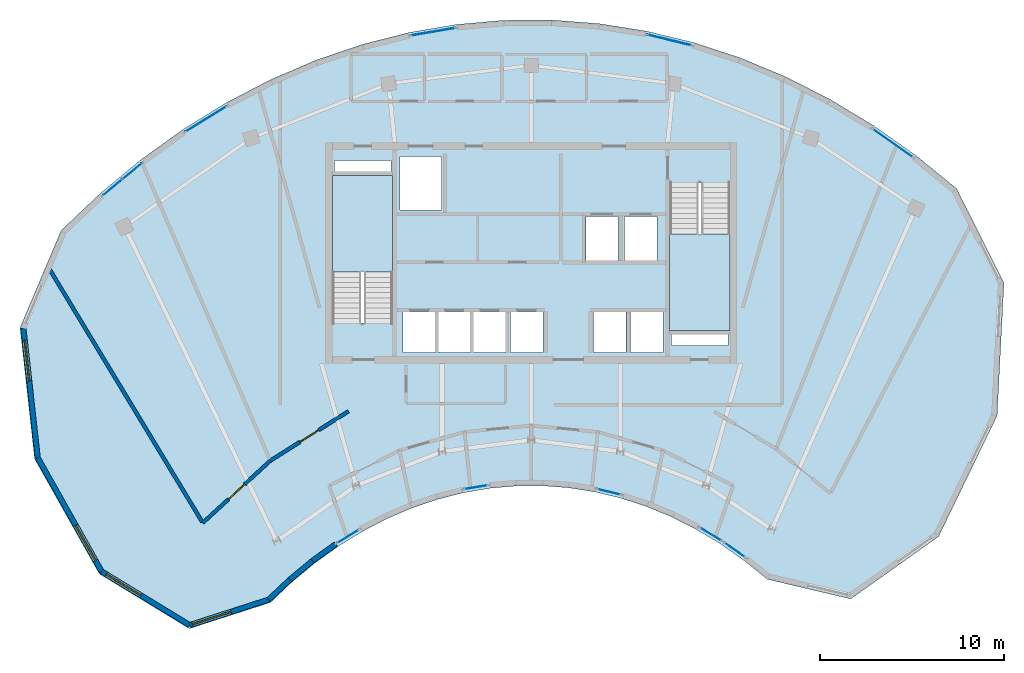
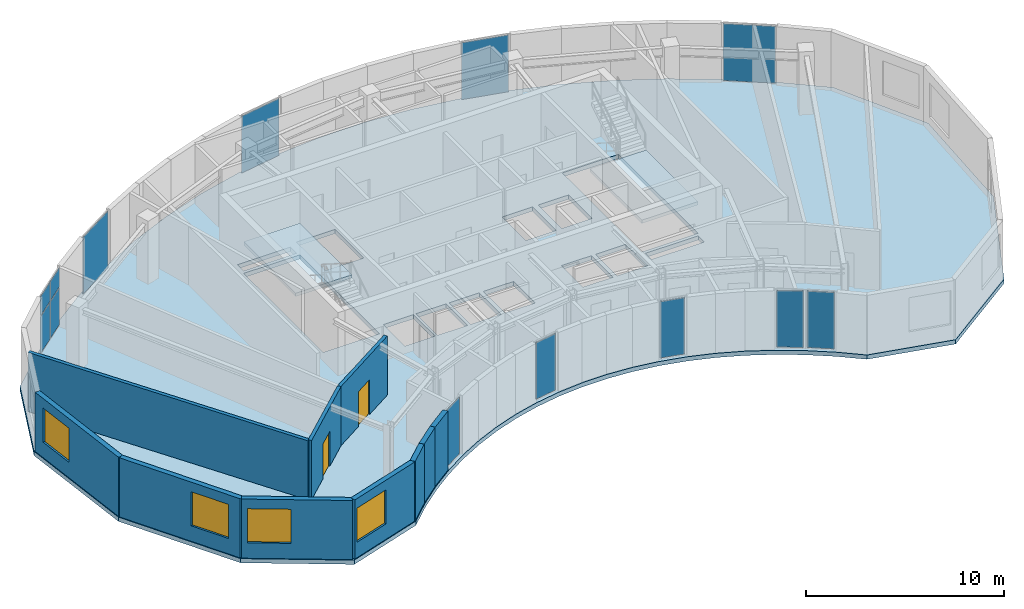
# One storey, part 4 of 9: 13 plates, 10 walls, 4 windows, 3 slabs, 2 doors, 6 openings, 12 elements without a shape of their own.
"""IFC4 building model written with IfcOpenShell, lengths in metres."""

from ifc_helpers import new_model, si_unit, direction, frame, frame_2d, origin, origin_2d, place, context, subcontext, project, spatial, polyline, rectangle, outline, extrude, source, transform, mapped, material, layer, layer_set, type_object, type_shapes, element, fill, aggregate, save


model = new_model("IFC4")

# Units and contexts
model_context = context("Model", 3, precision=1e-05, world=origin(), true_north=direction((0.0, 1.0)))
body_context = subcontext(model_context, "Body", "Model", "MODEL_VIEW")
ifc_project = project(units=[si_unit("LENGTHUNIT", "METRE"), si_unit("AREAUNIT", "SQUARE_METRE"), si_unit("VOLUMEUNIT", "CUBIC_METRE"), si_unit("PLANEANGLEUNIT", "RADIAN"), si_unit("MASSUNIT", "GRAM", prefix="KILO")], contexts=[model_context])

# Site, building, storey
site_placement = place(None, origin())
site = spatial("IfcSite", under=ifc_project, at=site_placement, CompositionType="ELEMENT")
building_placement = place(site_placement, origin())
building = spatial("IfcBuilding", under=site, at=building_placement, Name="Breltana Convention Tower", CompositionType="ELEMENT")
storey_placement = place(building_placement, frame((0.0, 0.0, 283.5)))
storey = spatial("IfcBuildingStorey", under=building, at=storey_placement, Name="L69", CompositionType="ELEMENT", Elevation=283.5)

# Stair, slab
ifc_material_1 = material(Name="Concrete C40/50", Category="concrete")
stair_type = type_object("IfcStairType", Name="ST-DOG-1560-R177", PredefinedType="HALF_TURN_STAIR", material=ifc_material_1)
stair_1_placement = place(storey_placement, origin())
stair_1 = element("IfcStair", 1, at=stair_1_placement, inside=storey, type_object=stair_type, Name="L69 Protected Core Exit Stair ST-1", PredefinedType="HALF_TURN_STAIR")
ifc_layer_1 = layer(ifc_material_1, 0.199951171875, Name="Concrete C40/50")
ifc_layer_set_1 = layer_set([ifc_layer_1], Name="Concrete C40/50")
slab_type_1 = type_object("IfcSlabType", Name="SL-STAIR-LANDING-200", PredefinedType="LANDING", material=ifc_layer_set_1)
slab_1_placement = place(storey_placement, frame((0.0, 0.0, 1.75)))
slab_1 = element("IfcSlab", 2, at=slab_1_placement, type_object=slab_type_1, Name="ST-1 landing 1", PredefinedType="LANDING", context=body_context, shape_type="SweptSolid", body=[
    extrude(outline(polyline([(40.469970703125, 65.159912109375), (40.469970703125, 70.39990234375), (37.199951171875, 70.39990234375), (37.199951171875, 65.159912109375), (40.469970703125, 65.159912109375)])), origin(), (0.0, 0.0, 1.0), 0.199951171875),
])
aggregate(stair_1, [slab_1])

stair_2_placement = place(storey_placement, origin())
stair_2 = element("IfcStair", 3, at=stair_2_placement, inside=storey, type_object=stair_type, Name="L69 Protected Core Exit Stair ST-2", PredefinedType="HALF_TURN_STAIR")
slab_2_placement = place(storey_placement, frame((0.0, 0.0, 1.75)))
slab_2 = element("IfcSlab", 4, at=slab_2_placement, type_object=slab_type_1, Name="ST-2 landing 1", PredefinedType="LANDING", context=body_context, shape_type="SweptSolid", body=[
    extrude(outline(polyline([(55.530029296875, 67.239990234375), (55.530029296875, 62.0), (58.800048828125, 62.0), (58.800048828125, 67.239990234375), (55.530029296875, 67.239990234375)])), origin(), (0.0, 0.0, 1.0), 0.199951171875),
])
aggregate(stair_2, [slab_2])

# Slab
ifc_layer_2 = layer(ifc_material_1, 0.260009765625, Name="Concrete C40/50")
ifc_layer_set_2 = layer_set([ifc_layer_2], Name="Concrete C40/50")
slab_type_2 = type_object("IfcSlabType", Name="SL-UPP-260", PredefinedType="FLOOR", material=ifc_layer_set_2)
slab_3_placement = place(storey_placement, frame((0.0, 0.0, -0.260009765625)))
element("IfcSlab", 5, at=slab_3_placement, inside=storey, type_object=slab_type_2, Name="L69 Suspended Structural Floor Slab", PredefinedType="FLOOR", context=body_context, shape_type="SweptSolid", body=[
    extrude(outline(polyline([(71.119873046875, 69.7060546875), (68.9033203125, 71.50830078125), (66.60888671875, 73.126220703125), (64.244873046875, 74.552978515625), (61.8203125, 75.783935546875), (59.34423828125, 76.814208984375), (56.825927734375, 77.639892578125), (54.2744140625, 78.25830078125), (51.69970703125, 78.66650390625), (49.111083984375, 78.863525390625), (46.5185546875, 78.848388671875), (43.931396484375, 78.62109375), (41.359375, 78.1826171875), (38.81201171875, 77.53466796875), (36.29931640625, 76.679443359375), (33.829833984375, 75.620361328125), (31.41357421875, 74.361083984375), (29.058837890625, 72.906494140625), (26.77490234375, 71.26220703125), (24.5703125, 69.433837890625), (22.452880859375, 67.4287109375), (20.216796875, 62.142578125), (21.007080078125, 55.0126953125), (24.52197265625, 48.762451171875), (29.418701171875, 45.779296875), (33.827392578125, 47.202392578125), (35.001953125, 48.31494140625), (36.22509765625, 49.3291015625), (37.491943359375, 50.241455078125), (38.79833984375, 51.04833984375), (40.138916015625, 51.746826171875), (41.5087890625, 52.33447265625), (42.90283203125, 52.80908203125), (44.31591796875, 53.16845703125), (45.742919921875, 53.41162109375), (47.177978515625, 53.537841796875), (48.616455078125, 53.546142578125), (50.052490234375, 53.43701171875), (51.48095703125, 53.21044921875), (52.896240234375, 52.867431640625), (54.29345703125, 52.4091796875), (55.6669921875, 51.837646484375), (57.01220703125, 51.15478515625), (58.323486328125, 50.36328125), (59.5966796875, 49.4658203125), (60.826171875, 48.4658203125), (65.370849609375, 47.394775390625), (70.1455078125, 50.789306640625), (73.326416015625, 57.352783203125), (73.698486328125, 64.57861328125), (71.119873046875, 69.7060546875)]), holes=[polyline([(37.199951171875, 62.385009765625), (40.469970703125, 62.385009765625), (40.469970703125, 70.39990234375), (37.199951171875, 70.39990234375), (37.199951171875, 62.385009765625)]), polyline([(55.530029296875, 62.0), (58.800048828125, 62.0), (58.800048828125, 70.014892578125), (55.530029296875, 70.014892578125), (55.530029296875, 62.0)]), polyline([(41.0400390625, 60.800048828125), (42.800048828125, 60.800048828125), (42.800048828125, 62.97998046875), (41.0400390625, 62.97998046875), (41.0400390625, 60.800048828125)]), polyline([(42.93994140625, 60.800048828125), (44.699951171875, 60.800048828125), (44.699951171875, 62.97998046875), (42.93994140625, 62.97998046875), (42.93994140625, 60.800048828125)]), polyline([(44.8701171875, 60.800048828125), (46.6298828125, 60.800048828125), (46.6298828125, 62.97998046875), (44.8701171875, 62.97998046875), (44.8701171875, 60.800048828125)]), polyline([(46.8701171875, 60.800048828125), (48.6298828125, 60.800048828125), (48.6298828125, 62.97998046875), (46.8701171875, 62.97998046875), (46.8701171875, 60.800048828125)]), polyline([(51.39990234375, 60.800048828125), (53.159912109375, 60.800048828125), (53.159912109375, 62.97998046875), (51.39990234375, 62.97998046875), (51.39990234375, 60.800048828125)]), polyline([(53.39990234375, 60.800048828125), (55.159912109375, 60.800048828125), (55.159912109375, 62.97998046875), (53.39990234375, 62.97998046875), (53.39990234375, 60.800048828125)]), polyline([(50.969970703125, 65.800048828125), (52.72998046875, 65.800048828125), (52.72998046875, 68.179931640625), (50.969970703125, 68.179931640625), (50.969970703125, 65.800048828125)]), polyline([(53.070068359375, 65.800048828125), (54.830078125, 65.800048828125), (54.830078125, 68.179931640625), (53.070068359375, 68.179931640625), (53.070068359375, 65.800048828125)]), polyline([(40.8798828125, 68.550048828125), (43.1201171875, 68.550048828125), (43.1201171875, 71.449951171875), (40.8798828125, 71.449951171875), (40.8798828125, 68.550048828125)]), polyline([(37.300048828125, 70.60009765625), (40.3798828125, 70.60009765625), (40.3798828125, 71.219970703125), (37.300048828125, 71.219970703125), (37.300048828125, 70.60009765625)]), polyline([(55.6201171875, 61.179931640625), (58.699951171875, 61.179931640625), (58.699951171875, 61.800048828125), (55.6201171875, 61.800048828125), (55.6201171875, 61.179931640625)])]), origin(), (0.0, 0.0, 1.0), 0.260009765625),
])

# Curtain wall, plate
ifc_material_2 = material(Name="Aluminium Anodised Bronze Frame", Category="aluminium")
ifc_layer_3 = layer(ifc_material_2, 0.18994140625, Name="Aluminium Anodised Bronze Frame")
ifc_layer_set_3 = layer_set([ifc_layer_3], Name="Aluminium Anodised Bronze Frame")
curtain_wall_type_1 = type_object("IfcCurtainWallType", Name="CW-SYS-1", PredefinedType="NOTDEFINED", material=ifc_layer_set_3)
curtain_wall_1_placement = place(storey_placement, origin())
curtain_wall_1 = element("IfcCurtainWall", 6, at=curtain_wall_1_placement, inside=storey, type_object=curtain_wall_type_1, Name="L69 inner south-court glazing 1", PredefinedType="NOTDEFINED")
ifc_material_3 = material(Name="Glass Low-E Double Glazing", Category="glass")
ifc_layer_4 = layer(ifc_material_3, 0.028076171875, Name="Glass Low-E Double Glazing")
ifc_layer_set_4 = layer_set([ifc_layer_4], Name="Glass Low-E Double Glazing")
plate_type_1 = type_object("IfcPlateType", Name="CWP-IGU-28", PredefinedType="CURTAIN_PANEL", material=ifc_layer_set_4)
shared_shape_1 = source(origin(), body_context, "Body", "SweptSolid", [
    extrude(rectangle(XDim=1.3974609375, YDim=0.028076171875, at=origin_2d()), origin(), (0.0, 0.0, 1.0), 3.47998046875),
])
plate_1_placement = place(storey_placement, frame((59.063720703125, 50.0615234375, 0.080078125), z_axis=(0.0, 0.0, 1.0), x_axis=(-0.817327132857, 0.576173895534, 0.0)))
plate_1 = element("IfcPlate", 7, at=plate_1_placement, type_object=plate_type_1, Name="CW-01 panel 1.1", PredefinedType="CURTAIN_PANEL", context=body_context, shape_type="MappedRepresentation", body=[
    mapped(shared_shape_1, transform((0.0, 0.0, 0.0), scale=1.0)),
])
aggregate(curtain_wall_1, [plate_1])

curtain_wall_2_placement = place(storey_placement, origin())
curtain_wall_2 = element("IfcCurtainWall", 8, at=curtain_wall_2_placement, inside=storey, type_object=curtain_wall_type_1, Name="L69 inner south-court glazing 2", PredefinedType="NOTDEFINED")
shared_shape_2 = source(origin(), body_context, "Body", "SweptSolid", [
    extrude(rectangle(XDim=1.371826171875, YDim=0.028076171875, at=origin_2d()), origin(), (0.0, 0.0, 1.0), 3.47998046875),
])
plate_2_placement = place(storey_placement, frame((57.760986328125, 50.9130859375, 0.080078125), z_axis=(0.0, 0.0, 1.0), x_axis=(-0.856090059164, 0.516826673654, 0.0)))
plate_2 = element("IfcPlate", 9, at=plate_2_placement, type_object=plate_type_1, Name="CW-01 panel 1.1", PredefinedType="CURTAIN_PANEL", context=body_context, shape_type="MappedRepresentation", body=[
    mapped(shared_shape_2, transform((0.0, 0.0, 0.0), scale=1.0)),
])
aggregate(curtain_wall_2, [plate_2])

curtain_wall_3_placement = place(storey_placement, origin())
curtain_wall_3 = element("IfcCurtainWall", 10, at=curtain_wall_3_placement, inside=storey, type_object=curtain_wall_type_1, Name="L69 inner south-court glazing 3", PredefinedType="NOTDEFINED")
shared_shape_3 = source(origin(), body_context, "Body", "SweptSolid", [
    extrude(rectangle(XDim=1.29638671875, YDim=0.028076171875, at=origin_2d()), origin(), (0.0, 0.0, 1.0), 3.47998046875),
])
plate_3_placement = place(storey_placement, frame((52.23095703125, 53.2138671875, 0.080078125), z_axis=(0.0, 0.0, 1.0), x_axis=(-0.97187011181, 0.235517485062, 0.0)))
plate_3 = element("IfcPlate", 11, at=plate_3_placement, type_object=plate_type_1, Name="CW-01 panel 1.1", PredefinedType="CURTAIN_PANEL", context=body_context, shape_type="MappedRepresentation", body=[
    mapped(shared_shape_3, transform((0.0, 0.0, 0.0), scale=1.0)),
])
aggregate(curtain_wall_3, [plate_3])

curtain_wall_4_placement = place(storey_placement, origin())
curtain_wall_4 = element("IfcCurtainWall", 12, at=curtain_wall_4_placement, inside=storey, type_object=curtain_wall_type_1, Name="L69 inner south-court glazing 4", PredefinedType="NOTDEFINED")
shared_shape_4 = source(origin(), body_context, "Body", "SweptSolid", [
    extrude(rectangle(XDim=1.287353515625, YDim=0.028076171875, at=origin_2d()), origin(), (0.0, 0.0, 1.0), 3.47998046875),
])
plate_4_placement = place(storey_placement, frame((44.999267578125, 53.467529296875, 0.080078125), z_axis=(0.0, 0.0, 1.0), x_axis=(-0.985782236223, -0.168027922521, 0.0)))
plate_4 = element("IfcPlate", 13, at=plate_4_placement, type_object=plate_type_1, Name="CW-01 panel 1.1", PredefinedType="CURTAIN_PANEL", context=body_context, shape_type="MappedRepresentation", body=[
    mapped(shared_shape_4, transform((0.0, 0.0, 0.0), scale=1.0)),
])
aggregate(curtain_wall_4, [plate_4])

curtain_wall_5_placement = place(storey_placement, origin())
curtain_wall_5 = element("IfcCurtainWall", 14, at=curtain_wall_5_placement, inside=storey, type_object=curtain_wall_type_1, Name="L69 inner south-court glazing 5", PredefinedType="NOTDEFINED")
shared_shape_5 = source(origin(), body_context, "Body", "SweptSolid", [
    extrude(rectangle(XDim=1.37548828125, YDim=0.028076171875, at=origin_2d()), origin(), (0.0, 0.0, 1.0), 3.47998046875),
])
plate_5_placement = place(storey_placement, frame((38.050537109375, 50.798095703125, 0.080078125), z_axis=(0.0, 0.0, 1.0), x_axis=(-0.850749179302, -0.525571911271, 0.0)))
plate_5 = element("IfcPlate", 15, at=plate_5_placement, type_object=plate_type_1, Name="CW-01 panel 1.1", PredefinedType="CURTAIN_PANEL", context=body_context, shape_type="MappedRepresentation", body=[
    mapped(shared_shape_5, transform((0.0, 0.0, 0.0), scale=1.0)),
])
aggregate(curtain_wall_5, [plate_5])

ifc_layer_5 = layer(ifc_material_2, 0.22998046875, Name="Aluminium Anodised Bronze Frame")
ifc_layer_set_5 = layer_set([ifc_layer_5], Name="Aluminium Anodised Bronze Frame")
curtain_wall_type_2 = type_object("IfcCurtainWallType", Name="CW-SYS-5", PredefinedType="NOTDEFINED", material=ifc_layer_set_5)
curtain_wall_6_placement = place(storey_placement, origin())
curtain_wall_6 = element("IfcCurtainWall", 16, at=curtain_wall_6_placement, inside=storey, type_object=curtain_wall_type_2, Name="L69 outer double-skin inner glazing 3", PredefinedType="NOTDEFINED")
ifc_layer_6 = layer(ifc_material_3, 0.035888671875, Name="Glass Low-E Double Glazing")
ifc_layer_set_6 = layer_set([ifc_layer_6], Name="Glass Low-E Double Glazing")
plate_type_2 = type_object("IfcPlateType", Name="CWP-IGU-36", PredefinedType="CURTAIN_PANEL", material=ifc_layer_set_6)
shared_shape_6 = source(origin(), body_context, "Body", "SweptSolid", [
    extrude(rectangle(XDim=2.454345703125, YDim=0.035888671875, at=origin_2d()), origin(), (0.0, 0.0, 1.0), 3.5),
])
plate_6_placement = place(storey_placement, frame((42.675537109375, 78.224365234375, 0.070068359375), z_axis=(0.0, 0.0, 1.0), x_axis=(0.985784110175, 0.168016928095, 0.0)))
plate_6 = element("IfcPlate", 17, at=plate_6_placement, type_object=plate_type_2, Name="CW-05 panel 1.1", PredefinedType="CURTAIN_PANEL", context=body_context, shape_type="MappedRepresentation", body=[
    mapped(shared_shape_6, transform((0.0, 0.0, 0.0), scale=1.0)),
])
aggregate(curtain_wall_6, [plate_6])

curtain_wall_7_placement = place(storey_placement, origin())
curtain_wall_7 = element("IfcCurtainWall", 18, at=curtain_wall_7_placement, inside=storey, type_object=curtain_wall_type_2, Name="L69 outer double-skin inner glazing 4", PredefinedType="NOTDEFINED")
shared_shape_7 = source(origin(), body_context, "Body", "SweptSolid", [
    extrude(rectangle(XDim=2.470947265625, YDim=0.035888671875, at=origin_2d()), origin(), (0.0, 0.0, 1.0), 3.5),
])
plate_7_placement = place(storey_placement, frame((55.5078125, 77.774169921875, 0.070068359375), z_axis=(0.0, 0.0, 1.0), x_axis=(0.971870033767, -0.235517807109, 0.0)))
plate_7 = element("IfcPlate", 19, at=plate_7_placement, type_object=plate_type_2, Name="CW-05 panel 1.1", PredefinedType="CURTAIN_PANEL", context=body_context, shape_type="MappedRepresentation", body=[
    mapped(shared_shape_7, transform((0.0, 0.0, 0.0), scale=1.0)),
])
aggregate(curtain_wall_7, [plate_7])

curtain_wall_8_placement = place(storey_placement, origin())
curtain_wall_8 = element("IfcCurtainWall", 20, at=curtain_wall_8_placement, inside=storey, type_object=curtain_wall_type_2, Name="L69 outer double-skin inner glazing 5", PredefinedType="NOTDEFINED")
shared_shape_8 = source(origin(), body_context, "Body", "SweptSolid", [
    extrude(rectangle(XDim=2.65478515625, YDim=0.035888671875, at=origin_2d()), origin(), (0.0, 0.0, 1.0), 3.5),
])
plate_8_placement = place(storey_placement, frame((67.652587890625, 72.170166015625, 0.070068359375), z_axis=(0.0, 0.0, 1.0), x_axis=(0.817284057658, -0.576234994683, 0.0)))
plate_8 = element("IfcPlate", 21, at=plate_8_placement, type_object=plate_type_2, Name="CW-05 panel 1.1", PredefinedType="CURTAIN_PANEL", context=body_context, shape_type="MappedRepresentation", body=[
    mapped(shared_shape_8, transform((0.0, 0.0, 0.0), scale=1.0)),
])
aggregate(curtain_wall_8, [plate_8])

# Curtain wall, plates
curtain_wall_9_placement = place(storey_placement, origin())
curtain_wall_9 = element("IfcCurtainWall", 22, at=curtain_wall_9_placement, inside=storey, type_object=curtain_wall_type_2, Name="L69 outer double-skin inner glazing 1", PredefinedType="NOTDEFINED")
shared_shape_9 = source(origin(), body_context, "Body", "SweptSolid", [
    extrude(rectangle(XDim=1.321044921875, YDim=0.035888671875, at=origin_2d()), origin(), (0.0, 0.0, 1.0), 2.260986328125),
])
plate_9_placement = place(storey_placement, frame((25.252197265625, 69.765380859375, 0.06982421875), z_axis=(0.0, 0.0, 1.0), x_axis=(0.76977098678, 0.638320160979, 0.0)))
plate_9 = element("IfcPlate", 23, at=plate_9_placement, type_object=plate_type_2, Name="CW-05 panel 1.1", PredefinedType="CURTAIN_PANEL", context=body_context, shape_type="MappedRepresentation", body=[
    mapped(shared_shape_9, transform((0.0, 0.0, 0.0), scale=1.0)),
])
plate_10_placement = place(storey_placement, frame((26.322998046875, 70.6533203125, 0.06982421875), z_axis=(0.0, 0.0, 1.0), x_axis=(0.76977098678, 0.638320160979, 0.0)))
plate_10 = element("IfcPlate", 24, at=plate_10_placement, type_object=plate_type_2, Name="CW-05 panel 2.1", PredefinedType="CURTAIN_PANEL", context=body_context, shape_type="MappedRepresentation", body=[
    mapped(shared_shape_9, transform((0.0, 0.0, 0.0), scale=1.0)),
])
shared_shape_10 = source(origin(), body_context, "Body", "SweptSolid", [
    extrude(rectangle(XDim=1.321044921875, YDim=0.035888671875, at=origin_2d()), origin(), (0.0, 0.0, 1.0), 1.1689453125),
])
plate_11_placement = place(storey_placement, frame((25.252197265625, 69.765380859375, 2.401123046875), z_axis=(0.0, 0.0, 1.0), x_axis=(0.76977098678, 0.638320160979, 0.0)))
plate_11 = element("IfcPlate", 25, at=plate_11_placement, type_object=plate_type_2, Name="CW-05 panel 1.2", PredefinedType="CURTAIN_PANEL", context=body_context, shape_type="MappedRepresentation", body=[
    mapped(shared_shape_10, transform((0.0, 0.0, 0.0), scale=1.0)),
])
plate_12_placement = place(storey_placement, frame((26.322998046875, 70.6533203125, 2.401123046875), z_axis=(0.0, 0.0, 1.0), x_axis=(0.76977098678, 0.638320160979, 0.0)))
plate_12 = element("IfcPlate", 26, at=plate_12_placement, type_object=plate_type_2, Name="CW-05 panel 2.2", PredefinedType="CURTAIN_PANEL", context=body_context, shape_type="MappedRepresentation", body=[
    mapped(shared_shape_10, transform((0.0, 0.0, 0.0), scale=1.0)),
])
aggregate(curtain_wall_9, [plate_9, plate_11, plate_10, plate_12])

# Curtain wall, plate
curtain_wall_10_placement = place(storey_placement, origin())
curtain_wall_10 = element("IfcCurtainWall", 27, at=curtain_wall_10_placement, inside=storey, type_object=curtain_wall_type_2, Name="L69 outer double-skin inner glazing 2", PredefinedType="NOTDEFINED")
shared_shape_11 = source(origin(), body_context, "Body", "SweptSolid", [
    extrude(rectangle(XDim=2.61474609375, YDim=0.035888671875, at=origin_2d()), origin(), (0.0, 0.0, 1.0), 3.5),
])
plate_13_placement = place(storey_placement, frame((30.330810546875, 73.480712890625, 0.070068359375), z_axis=(0.0, 0.0, 1.0), x_axis=(0.850768399946, 0.525540797325, 0.0)))
plate_13 = element("IfcPlate", 28, at=plate_13_placement, type_object=plate_type_2, Name="CW-05 panel 1.1", PredefinedType="CURTAIN_PANEL", context=body_context, shape_type="MappedRepresentation", body=[
    mapped(shared_shape_11, transform((0.0, 0.0, 0.0), scale=1.0)),
])
aggregate(curtain_wall_10, [plate_13])

# Walls
ifc_material_4 = material(Name="Limestone Buff Insulated Wall", Category="masonry")
ifc_layer_7 = layer(ifc_material_4, 0.280029296875, Name="Limestone Buff Insulated Wall")
ifc_layer_set_7 = layer_set([ifc_layer_7], Name="Limestone Buff Insulated Wall")
wall_type_1 = type_object("IfcWallType", Name="WL-EXT-NOSE-280", PredefinedType="SOLIDWALL", material=ifc_layer_set_7)
shared_shape_12 = source(origin(), body_context, "Body", "SweptSolid", [
    extrude(rectangle(XDim=1.56103515625, YDim=0.280029296875, at=frame_2d((0.780517578125, 0.0))), origin(), (0.0, 0.0, 1.0), 3.639892578125),
])
wall_1_placement = place(storey_placement, frame((37.38671875, 50.387451171875, 0.0), z_axis=(0.0, 0.0, 1.0), x_axis=(-0.81154027425, -0.584296485758, 0.0)))
element("IfcWall", 29, at=wall_1_placement, inside=storey, type_object=wall_type_1, Name="L69 curved limestone nose wall E18", PredefinedType="SOLIDWALL", context=body_context, shape_type="MappedRepresentation", body=[
    mapped(shared_shape_12, transform((0.0, 0.0, 0.0), scale=1.0)),
])
shared_shape_13 = source(origin(), body_context, "Body", "SweptSolid", [
    extrude(rectangle(XDim=1.5888671875, YDim=0.280029296875, at=frame_2d((0.79443359375, 0.0))), origin(), (0.0, 0.0, 1.0), 3.639892578125),
])
wall_2_placement = place(storey_placement, frame((36.110107421875, 49.4677734375, 0.0), z_axis=(0.0, 0.0, 1.0), x_axis=(-0.769805836273, -0.63827813251, 0.0)))
element("IfcWall", 30, at=wall_2_placement, inside=storey, type_object=wall_type_1, Name="L69 curved limestone nose wall E19", PredefinedType="SOLIDWALL", context=body_context, shape_type="MappedRepresentation", body=[
    mapped(shared_shape_13, transform((0.0, 0.0, 0.0), scale=1.0)),
])
shared_shape_14 = source(origin(), body_context, "Body", "SweptSolid", [
    extrude(rectangle(XDim=1.576904296875, YDim=0.280029296875, at=frame_2d((0.78857421875, 0.0))), origin(), (0.0, 0.0, 1.0), 3.639892578125),
])
wall_3_placement = place(storey_placement, frame((34.878173828125, 48.445556640625, 0.0), z_axis=(0.0, 0.0, 1.0), x_axis=(-0.726119464467, -0.687568558998, 0.0)))
element("IfcWall", 31, at=wall_3_placement, inside=storey, type_object=wall_type_1, Name="L69 curved limestone nose wall W1", PredefinedType="SOLIDWALL", context=body_context, shape_type="MappedRepresentation", body=[
    mapped(shared_shape_14, transform((0.0, 0.0, 0.0), scale=1.0)),
])

# Wall, opening, window
shared_shape_15 = source(origin(), body_context, "Body", "SweptSolid", [
    extrude(rectangle(XDim=4.50927734375, YDim=0.280029296875, at=frame_2d((2.254638671875, 0.0))), origin(), (0.0, 0.0, 1.0), 3.639892578125),
])
wall_4_placement = place(storey_placement, frame((33.733154296875, 47.361328125, 0.0), z_axis=(0.0, 0.0, 1.0), x_axis=(-0.95162949292, -0.307247958828, 0.0)))
wall_4 = element("IfcWall", 32, at=wall_4_placement, inside=storey, type_object=wall_type_1, Name="L69 curved limestone nose wall W2", PredefinedType="SOLIDWALL", context=body_context, shape_type="MappedRepresentation", body=[
    mapped(shared_shape_15, transform((0.0, 0.0, 0.0), scale=1.0)),
])
opening_1_placement = place(wall_4_placement, frame((2.1494140625, 0.0, 0.949951171875)))
opening_1 = element("IfcOpeningElement", 33, at=opening_1_placement, cuts=wall_4, Name="Opening W-03", PredefinedType="OPENING", context=body_context, shape_type="SweptSolid", body=[
    extrude(rectangle(XDim=2.199951171875, YDim=2.10009765625, at=frame_2d((1.10009765625, 1.050048828125))), frame((0.0, 0.14990234375, 0.0), z_axis=(0.0, -1.0, 0.0), x_axis=(1.0, 0.0, 0.0)), (0.0, 0.0, 1.0), 0.300048828125),
])
ifc_material_5 = material(Name="Glass Low-E Insulated Window", Category="glass")
window_type = type_object("IfcWindowType", Name="WN-NOSE-2200X2100", PartitioningType="TRIPLE_PANEL_VERTICAL", PredefinedType="WINDOW", material=ifc_material_5)
shared_shape_16 = source(origin(), body_context, "Body", "SweptSolid", [
    extrude(rectangle(XDim=2.199951171875, YDim=2.10009765625, at=frame_2d((1.10009765625, 1.050048828125))), frame((0.0, 0.030029296875, 0.0), z_axis=(0.0, -1.0, 0.0), x_axis=(1.0, 0.0, 0.0)), (0.0, 0.0, 1.0), 0.06005859375),
])
type_shapes(window_type, [shared_shape_16])
window_1_placement = place(opening_1_placement, origin())
window_1 = element("IfcWindow", 34, at=window_1_placement, inside=storey, type_object=window_type, Name="L69 nose window W2", OverallHeight=2.10009765625, OverallWidth=2.199951171875, PartitioningType="TRIPLE_PANEL_VERTICAL", PredefinedType="WINDOW", context=body_context, shape_type="MappedRepresentation", body=[
    mapped(shared_shape_16, transform((0.0, 0.0, 0.0), scale=1.0)),
])
fill(opening_1, window_1)

shared_shape_17 = source(origin(), body_context, "Body", "SweptSolid", [
    extrude(rectangle(XDim=5.604248046875, YDim=0.280029296875, at=frame_2d((2.80224609375, 0.0))), origin(), (0.0, 0.0, 1.0), 3.639892578125),
])
wall_5_placement = place(storey_placement, frame((29.44189453125, 45.975830078125, 0.0), z_axis=(0.0, 0.0, 1.0), x_axis=(-0.854002492971, 0.520268913158, 0.0)))
wall_5 = element("IfcWall", 35, at=wall_5_placement, inside=storey, type_object=wall_type_1, Name="L69 curved limestone nose wall W3", PredefinedType="SOLIDWALL", context=body_context, shape_type="MappedRepresentation", body=[
    mapped(shared_shape_17, transform((0.0, 0.0, 0.0), scale=1.0)),
])
opening_2_placement = place(wall_5_placement, frame((3.103271484375, 0.0, 0.949951171875)))
opening_2 = element("IfcOpeningElement", 36, at=opening_2_placement, cuts=wall_5, Name="Opening W-03", PredefinedType="OPENING", context=body_context, shape_type="SweptSolid", body=[
    extrude(rectangle(XDim=2.199951171875, YDim=2.10009765625, at=frame_2d((1.10009765625, 1.050048828125))), frame((0.0, 0.14990234375, 0.0), z_axis=(0.0, -1.0, 0.0), x_axis=(1.0, 0.0, 0.0)), (0.0, 0.0, 1.0), 0.300048828125),
])
window_2_placement = place(opening_2_placement, origin())
window_2 = element("IfcWindow", 37, at=window_2_placement, inside=storey, type_object=window_type, Name="L69 nose window W3", OverallHeight=2.10009765625, OverallWidth=2.199951171875, PartitioningType="TRIPLE_PANEL_VERTICAL", PredefinedType="WINDOW", context=body_context, shape_type="MappedRepresentation", body=[
    mapped(shared_shape_16, transform((0.0, 0.0, 0.0), scale=1.0)),
])
fill(opening_2, window_2)

shared_shape_18 = source(origin(), body_context, "Body", "SweptSolid", [
    extrude(rectangle(XDim=7.087158203125, YDim=0.280029296875, at=frame_2d((3.54345703125, 0.0))), origin(), (0.0, 0.0, 1.0), 3.639892578125),
])
wall_6_placement = place(storey_placement, frame((24.65576171875, 48.8916015625, 0.0), z_axis=(0.0, 0.0, 1.0), x_axis=(-0.490158199368, 0.871633489256, 0.0)))
wall_6 = element("IfcWall", 38, at=wall_6_placement, inside=storey, type_object=wall_type_1, Name="L69 curved limestone nose wall W4", PredefinedType="SOLIDWALL", context=body_context, shape_type="MappedRepresentation", body=[
    mapped(shared_shape_18, transform((0.0, 0.0, 0.0), scale=1.0)),
])
opening_3_placement = place(wall_6_placement, frame((0.671875, 0.0, 0.949951171875)))
opening_3 = element("IfcOpeningElement", 39, at=opening_3_placement, cuts=wall_6, Name="Opening W-03", PredefinedType="OPENING", context=body_context, shape_type="SweptSolid", body=[
    extrude(rectangle(XDim=2.199951171875, YDim=2.10009765625, at=frame_2d((1.10009765625, 1.050048828125))), frame((0.0, 0.14990234375, 0.0), z_axis=(0.0, -1.0, 0.0), x_axis=(1.0, 0.0, 0.0)), (0.0, 0.0, 1.0), 0.300048828125),
])
window_3_placement = place(opening_3_placement, origin())
window_3 = element("IfcWindow", 40, at=window_3_placement, inside=storey, type_object=window_type, Name="L69 nose window W4", OverallHeight=2.10009765625, OverallWidth=2.199951171875, PartitioningType="TRIPLE_PANEL_VERTICAL", PredefinedType="WINDOW", context=body_context, shape_type="MappedRepresentation", body=[
    mapped(shared_shape_16, transform((0.0, 0.0, 0.0), scale=1.0)),
])
fill(opening_3, window_3)

shared_shape_19 = source(origin(), body_context, "Body", "SweptSolid", [
    extrude(rectangle(XDim=7.08984375, YDim=0.280029296875, at=frame_2d((3.544921875, 0.0))), origin(), (0.0, 0.0, 1.0), 3.639892578125),
])
wall_7_placement = place(storey_placement, frame((21.181884765625, 55.069091796875, 0.0), z_axis=(0.0, 0.0, 1.0), x_axis=(-0.110159396922, 0.993913933532, 0.0)))
wall_7 = element("IfcWall", 41, at=wall_7_placement, inside=storey, type_object=wall_type_1, Name="L69 curved limestone nose wall W5", PredefinedType="SOLIDWALL", context=body_context, shape_type="MappedRepresentation", body=[
    mapped(shared_shape_19, transform((0.0, 0.0, 0.0), scale=1.0)),
])
opening_4_placement = place(wall_7_placement, frame((4.21728515625, 0.0, 0.949951171875)))
opening_4 = element("IfcOpeningElement", 42, at=opening_4_placement, cuts=wall_7, Name="Opening W-03", PredefinedType="OPENING", context=body_context, shape_type="SweptSolid", body=[
    extrude(rectangle(XDim=2.199951171875, YDim=2.10009765625, at=frame_2d((1.10009765625, 1.050048828125))), frame((0.0, 0.14990234375, 0.0), z_axis=(0.0, -1.0, 0.0), x_axis=(1.0, 0.0, 0.0)), (0.0, 0.0, 1.0), 0.300048828125),
])
window_4_placement = place(opening_4_placement, origin())
window_4 = element("IfcWindow", 43, at=window_4_placement, inside=storey, type_object=window_type, Name="L69 nose window W5", OverallHeight=2.10009765625, OverallWidth=2.199951171875, PartitioningType="TRIPLE_PANEL_VERTICAL", PredefinedType="WINDOW", context=body_context, shape_type="MappedRepresentation", body=[
    mapped(shared_shape_16, transform((0.0, 0.0, 0.0), scale=1.0)),
])
fill(opening_4, window_4)

# Wall, opening, door
ifc_material_6 = material(Name="Gypsum Acoustic Hotel Wall")
ifc_layer_8 = layer(ifc_material_6, 0.195068359375, Name="Gypsum Acoustic Hotel Wall")
ifc_layer_set_8 = layer_set([ifc_layer_8], Name="Gypsum Acoustic Hotel Wall")
wall_type_2 = type_object("IfcWallType", Name="WL-HOTEL-200", PredefinedType="PARTITIONING", material=ifc_layer_set_8)
shared_shape_20 = source(origin(), body_context, "Body", "SweptSolid", [
    extrude(rectangle(XDim=4.98583984375, YDim=0.195068359375, at=frame_2d((2.492919921875, 0.0))), origin(), (0.0, 0.0, 1.0), 3.639892578125),
])
wall_8_placement = place(storey_placement, frame((30.152587890625, 51.533447265625, 0.0), z_axis=(0.0, 0.0, 1.0), x_axis=(0.735595190169, 0.677421372707, 0.0)))
wall_8 = element("IfcWall", 44, at=wall_8_placement, inside=storey, type_object=wall_type_2, Name="L69 interior partition W-L69-EXWR1-COR", PredefinedType="PARTITIONING", context=body_context, shape_type="MappedRepresentation", body=[
    mapped(shared_shape_20, transform((0.0, 0.0, 0.0), scale=1.0)),
])
opening_5_placement = place(wall_8_placement, frame((1.892822265625, 0.0, 0.0)))
opening_5 = element("IfcOpeningElement", 45, at=opening_5_placement, cuts=wall_8, Name="Opening D-10", PredefinedType="OPENING", context=body_context, shape_type="SweptSolid", body=[
    extrude(rectangle(XDim=1.199951171875, YDim=2.14990234375, at=frame_2d((0.60009765625, 1.074951171875))), frame((0.0, 0.107421875, 0.0), z_axis=(0.0, -1.0, 0.0), x_axis=(1.0, 0.0, 0.0)), (0.0, 0.0, 1.0), 0.215087890625),
])
ifc_material_7 = material(Name="Timber Oak Veneer Fire Door", Category="wood")
door_type = type_object("IfcDoorType", Name="DR-INT-1200", OperationType="NOTDEFINED", PredefinedType="DOOR", material=ifc_material_7)
shared_shape_21 = source(origin(), body_context, "Body", "SweptSolid", [
    extrude(rectangle(XDim=1.199951171875, YDim=2.14990234375, at=frame_2d((0.60009765625, 1.074951171875))), frame((0.0, 0.02490234375, 0.0), z_axis=(0.0, -1.0, 0.0), x_axis=(1.0, 0.0, 0.0)), (0.0, 0.0, 1.0), 0.050048828125),
])
type_shapes(door_type, [shared_shape_21])
door_1_placement = place(opening_5_placement, origin())
door_1 = element("IfcDoor", 46, at=door_1_placement, inside=storey, type_object=door_type, Name="L69 interior door D-L69-EXWR1", OperationType="SINGLE_SWING_LEFT", OverallHeight=2.14990234375, OverallWidth=1.199951171875, PredefinedType="DOOR", context=body_context, shape_type="MappedRepresentation", body=[
    mapped(shared_shape_21, transform((0.0, 0.0, 0.0), scale=1.0)),
])
fill(opening_5, door_1)

# Wall
shared_shape_22 = source(origin(), body_context, "Body", "SweptSolid", [
    extrude(rectangle(XDim=16.120849609375, YDim=0.195068359375, at=frame_2d((8.060546875, 0.0))), origin(), (0.0, 0.0, 1.0), 3.639892578125),
])
wall_9_placement = place(storey_placement, frame((30.127197265625, 51.5751953125, 0.0), z_axis=(0.0, 0.0, 1.0), x_axis=(-0.517212483904, 0.855857024563, 0.0)))
element("IfcWall", 47, at=wall_9_placement, inside=storey, type_object=wall_type_2, Name="L69 interior partition W-L69-EXWR1-RA", PredefinedType="PARTITIONING", context=body_context, shape_type="MappedRepresentation", body=[
    mapped(shared_shape_22, transform((0.0, 0.0, 0.0), scale=1.0)),
])

# Wall, opening, door
shared_shape_23 = source(origin(), body_context, "Body", "SweptSolid", [
    extrude(rectangle(XDim=5.025390625, YDim=0.195068359375, at=frame_2d((2.5126953125, 0.0))), origin(), (0.0, 0.0, 1.0), 3.639892578125),
])
wall_10_placement = place(storey_placement, frame((33.820068359375, 54.910888671875, 0.0), z_axis=(0.0, 0.0, 1.0), x_axis=(0.84532378062, 0.534254345717, 0.0)))
wall_10 = element("IfcWall", 48, at=wall_10_placement, inside=storey, type_object=wall_type_2, Name="L69 interior partition W-L69-EXWR2-COR", PredefinedType="PARTITIONING", context=body_context, shape_type="MappedRepresentation", body=[
    mapped(shared_shape_23, transform((0.0, 0.0, 0.0), scale=1.0)),
])
opening_6_placement = place(wall_10_placement, frame((1.91259765625, 0.0, 0.0)))
opening_6 = element("IfcOpeningElement", 49, at=opening_6_placement, cuts=wall_10, Name="Opening D-10", PredefinedType="OPENING", context=body_context, shape_type="SweptSolid", body=[
    extrude(rectangle(XDim=1.199951171875, YDim=2.14990234375, at=frame_2d((0.60009765625, 1.074951171875))), frame((0.0, 0.107421875, 0.0), z_axis=(0.0, -1.0, 0.0), x_axis=(1.0, 0.0, 0.0)), (0.0, 0.0, 1.0), 0.215087890625),
])
door_2_placement = place(opening_6_placement, origin())
door_2 = element("IfcDoor", 50, at=door_2_placement, inside=storey, type_object=door_type, Name="L69 interior door D-L69-EXWR2", OperationType="SINGLE_SWING_RIGHT", OverallHeight=2.14990234375, OverallWidth=1.199951171875, PredefinedType="DOOR", context=body_context, shape_type="MappedRepresentation", body=[
    mapped(shared_shape_21, transform((0.0, 0.0, 0.0), scale=1.0)),
])
fill(opening_6, door_2)

save(model, "model.ifc")
